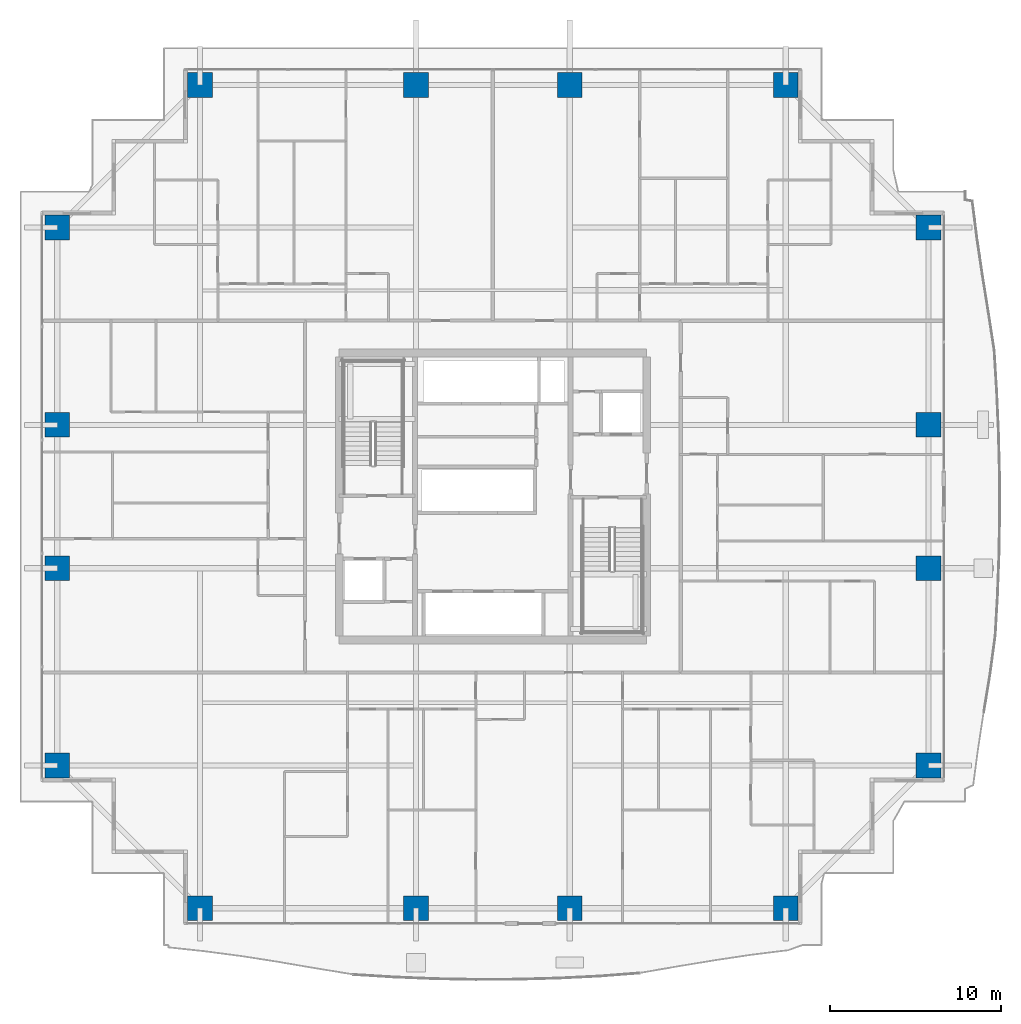
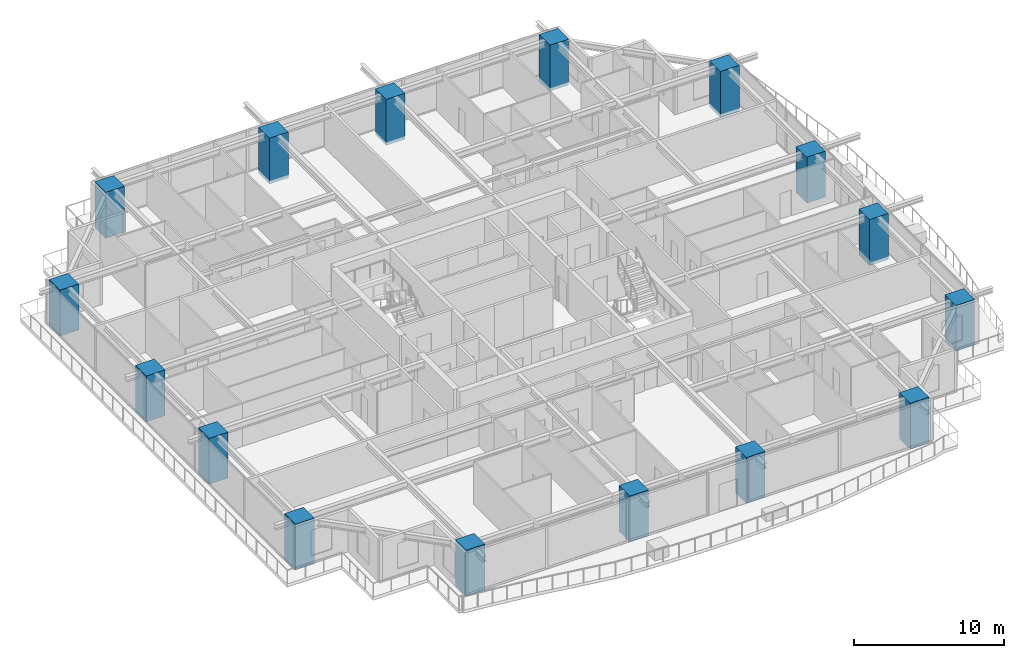
# One storey, part 1 of 39: 16 columns.
"""IFC4 building model written with IfcOpenShell, lengths in metres."""

from ifc_helpers import new_model, si_unit, direction, frame, origin, origin_2d, place, context, subcontext, project, spatial, rectangle, extrude, source, transform, mapped, material, material_profile, profile_set, type_object, element, save


model = new_model("IFC4")

# Units and contexts
model_context = context("Model", 3, precision=1e-05, world=origin(), true_north=direction((0.0, 1.0)))
body_context = subcontext(model_context, "Body", "Model", "MODEL_VIEW")
ifc_project = project(units=[si_unit("LENGTHUNIT", "METRE"), si_unit("AREAUNIT", "SQUARE_METRE"), si_unit("VOLUMEUNIT", "CUBIC_METRE"), si_unit("PLANEANGLEUNIT", "RADIAN"), si_unit("MASSUNIT", "GRAM", prefix="KILO")], contexts=[model_context])

# Site, building, storey
site_placement = place(None, origin())
site = spatial("IfcSite", under=ifc_project, at=site_placement, CompositionType="ELEMENT")
building_placement = place(site_placement, origin())
building = spatial("IfcBuilding", under=site, at=building_placement, Name="Serunith Strait Residences", CompositionType="ELEMENT")
storey_placement = place(building_placement, frame((0.0, 0.0, 94.199951171875)))
storey = spatial("IfcBuildingStorey", under=building, at=storey_placement, Name="L23", CompositionType="ELEMENT", Elevation=94.199951171875)

# Columns
ifc_material = material(Name="Concrete C90/105", Category="concrete")
ifc_material_profile = material_profile(ifc_material, rectangle(XDim=1.449951171875, YDim=1.449951171875, at=origin_2d()), Name="RC 1450x1450")
ifc_profile_set = profile_set([ifc_material_profile], Name="Concrete C90/105")
column_type = type_object("IfcColumnType", Name="COL-RC-1450", PredefinedType="COLUMN", material=ifc_profile_set)
shared_shape = source(origin(), body_context, "Body", "SweptSolid", [
    extrude(rectangle(XDim=1.449951171875, YDim=1.449951171875, at=origin_2d()), origin(), (0.0, 0.0, 1.0), 3.75),
])
for number, where, z_axis, x_axis, name in (
    (1, (15.25, 1.10009765625, -0.260009765625), (0.0, 0.0, 1.0), (1.0, 0.0, 0.0), "L23 Tower Mega-Column TC-S1"),
    (2, (27.89990234375, 1.10009765625, -0.260009765625), (0.0, 0.0, 1.0), (1.0, 0.0, 0.0), "L23 Tower Mega-Column TC-S2"),
    (3, (36.89990234375, 1.10009765625, -0.260009765625), (0.0, 0.0, 1.0), (1.0, 0.0, 0.0), "L23 Tower Mega-Column TC-S3"),
    (4, (49.550048828125, 1.10009765625, -0.260009765625), (0.0, 0.0, 1.0), (1.0, 0.0, 0.0), "L23 Tower Mega-Column TC-S4"),
    (5, (15.25, 49.300048828125, -0.260009765625), (0.0, 0.0, 1.0), (1.0, 0.0, 0.0), "L23 Tower Mega-Column TC-N1"),
    (6, (27.89990234375, 49.300048828125, -0.260009765625), (0.0, 0.0, 1.0), (1.0, 0.0, 0.0), "L23 Tower Mega-Column TC-N2"),
    (7, (36.89990234375, 49.300048828125, -0.260009765625), (0.0, 0.0, 1.0), (1.0, 0.0, 0.0), "L23 Tower Mega-Column TC-N3"),
    (8, (49.550048828125, 49.300048828125, -0.260009765625), (0.0, 0.0, 1.0), (1.0, 0.0, 0.0), "L23 Tower Mega-Column TC-N4"),
    (9, (57.89990234375, 9.449951171875, -0.260009765625), (0.0, 0.0, 1.0), (1.0, 0.0, 0.0), "L23 Tower Mega-Column TC-E1"),
    (10, (57.89990234375, 21.0, -0.260009765625), (0.0, 0.0, 1.0), (1.0, 0.0, 0.0), "L23 Tower Mega-Column TC-E2"),
    (11, (57.89990234375, 29.39990234375, -0.260009765625), (0.0, 0.0, 1.0), (1.0, 0.0, 0.0), "L23 Tower Mega-Column TC-E3"),
    (12, (57.89990234375, 40.949951171875, -0.260009765625), (0.0, 0.0, 1.0), (1.0, 0.0, 0.0), "L23 Tower Mega-Column TC-E4"),
    (13, (6.89990234375, 9.449951171875, -0.260009765625), (0.0, 0.0, 1.0), (1.0, 0.0, 0.0), "L23 Tower Mega-Column TC-W1"),
    (14, (6.89990234375, 21.0, -0.260009765625), (0.0, 0.0, 1.0), (1.0, 0.0, 0.0), "L23 Tower Mega-Column TC-W2"),
    (15, (6.89990234375, 29.39990234375, -0.260009765625), (0.0, 0.0, 1.0), (1.0, 0.0, 0.0), "L23 Tower Mega-Column TC-W3"),
    (16, (6.89990234375, 40.949951171875, -0.260009765625), (0.0, 0.0, 1.0), (1.0, 0.0, 0.0), "L23 Tower Mega-Column TC-W4"),
):
    element("IfcColumn", number, at=place(storey_placement, frame(where, z_axis=z_axis, x_axis=x_axis)), inside=storey, type_object=column_type, Name=name, PredefinedType="COLUMN", context=body_context, shape_type="MappedRepresentation", body=[
        mapped(shared_shape, transform((0.0, 0.0, 0.0), scale=1.0)),
    ])

save(model, "model.ifc")
